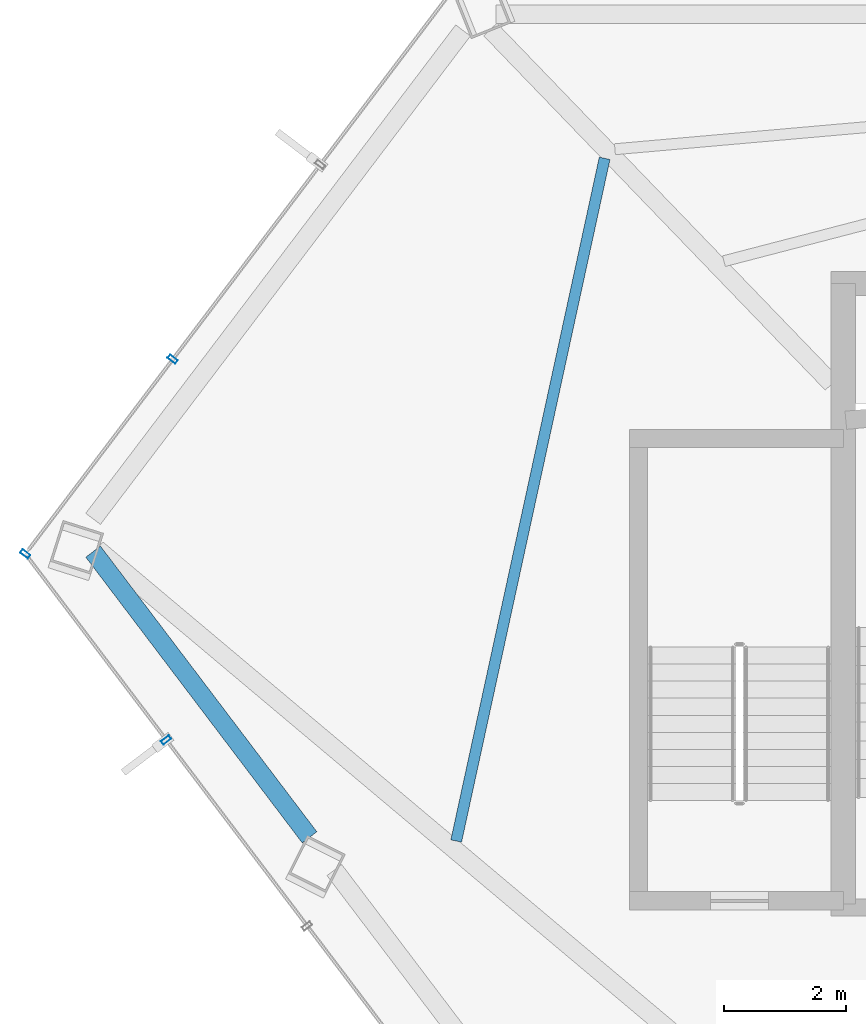
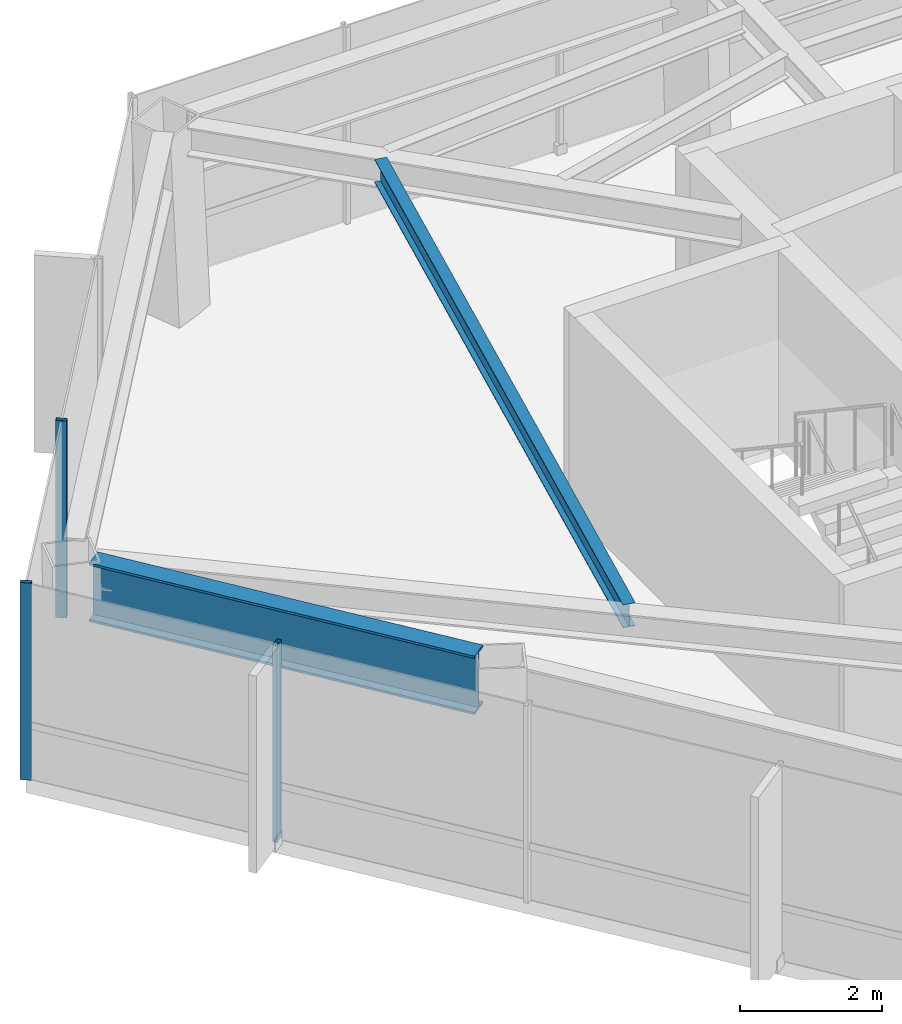
# One storey, part 9 of 28: 3 members, 2 beams, 2 elements without a shape of their own.
"""IFC4 building model written with IfcOpenShell, lengths in metres."""

from ifc_helpers import new_model, si_unit, direction, frame, origin, origin_2d, place, context, subcontext, project, spatial, hollow_rectangle, i_section, extrude, material, layer, layer_set, material_profile, profile_set, type_object, element, aggregate, save


model = new_model("IFC4")

# Units and contexts
model_context = context("Model", 3, precision=1e-05, world=origin(), true_north=direction((0.0, 1.0)))
body_context = subcontext(model_context, "Body", "Model", "MODEL_VIEW")
ifc_project = project(units=[si_unit("LENGTHUNIT", "METRE"), si_unit("AREAUNIT", "SQUARE_METRE"), si_unit("VOLUMEUNIT", "CUBIC_METRE"), si_unit("PLANEANGLEUNIT", "RADIAN"), si_unit("MASSUNIT", "GRAM", prefix="KILO")], contexts=[model_context])

# Site, building, storey
site_placement = place(None, origin())
site = spatial("IfcSite", under=ifc_project, at=site_placement, CompositionType="ELEMENT")
building_placement = place(site_placement, origin())
building = spatial("IfcBuilding", under=site, at=building_placement, Name="Zarrinselat Tower", CompositionType="ELEMENT")
storey_placement = place(building_placement, frame((0.0, 0.0, 190.739990234375)))
storey = spatial("IfcBuildingStorey", under=building, at=storey_placement, Name="L47", CompositionType="ELEMENT", Elevation=190.739990234375)

# Beams
ifc_material_1 = material(Name="Steel S460M", Category="steel")
ifc_material_profile_1 = material_profile(ifc_material_1, i_section(OverallWidth=0.302001953125, OverallDepth=1.008056640625, WebThickness=0.02099609375, FlangeThickness=0.0400390625, at=origin_2d()), Name="HEM 1000")
ifc_profile_set_1 = profile_set([ifc_material_profile_1], Name="Steel S460M")
beam_type_1 = type_object("IfcBeamType", Name="BM-HEM1000", PredefinedType="BEAM", material=ifc_profile_set_1)
beam_1_placement = place(storey_placement, frame((16.263916015625, 39.040771484375, 2.885986328125), z_axis=(0.603864069052, -0.79708731398, 0.0), x_axis=(0.79708731398, 0.603864069052, 0.0)))
element("IfcBeam", 1, at=beam_1_placement, inside=storey, type_object=beam_type_1, Name="L47 Perimeter Spandrel Girder SP06", PredefinedType="BEAM", context=body_context, shape_type="SweptSolid", body=[
    extrude(i_section(OverallWidth=0.302001953125, OverallDepth=1.008056640625, WebThickness=0.02099609375, FlangeThickness=0.0400390625, at=origin_2d()), origin(), (0.0, 0.0, 1.0), 5.89306640625),
])
ifc_material_2 = material(Name="Steel S355J2", Category="steel")
ifc_material_profile_2 = material_profile(ifc_material_2, i_section(OverallWidth=0.179931640625, OverallDepth=0.39990234375, WebThickness=0.008544921875, FlangeThickness=0.013427734375, at=origin_2d()), Name="IPE 400")
ifc_profile_set_2 = profile_set([ifc_material_profile_2], Name="Steel S355J2")
beam_type_2 = type_object("IfcBeamType", Name="BM-IPE400", PredefinedType="JOIST", material=ifc_profile_set_2)
beam_2_placement = place(storey_placement, frame((22.23388671875, 34.28271484375, 3.18994140625), z_axis=(0.212454351005, 0.97717099258, 0.0), x_axis=(-0.97717099258, 0.212454351005, 0.0)))
element("IfcBeam", 2, at=beam_2_placement, inside=storey, type_object=beam_type_2, Name="L47 Composite Floor Joist 10-1", PredefinedType="JOIST", context=body_context, shape_type="SweptSolid", body=[
    extrude(i_section(OverallWidth=0.179931640625, OverallDepth=0.39990234375, WebThickness=0.008544921875, FlangeThickness=0.013427734375, at=origin_2d()), origin(), (0.0, 0.0, 1.0), 11.48681640625),
])

# Curtain wall, members
ifc_material_3 = material(Name="Extruded Aluminium Alloy EN AW-6063 T6", Category="aluminium")
ifc_layer = layer(ifc_material_3, 0.175048828125)
ifc_layer_set = layer_set([ifc_layer], Name="Extruded Aluminium Alloy EN AW-6063 T6")
curtain_wall_type = type_object("IfcCurtainWallType", Name="CWS-HTL", PredefinedType="NOTDEFINED", material=ifc_layer_set)
curtain_wall_1_placement = place(storey_placement, origin())
curtain_wall_1 = element("IfcCurtainWall", 3, at=curtain_wall_1_placement, inside=storey, type_object=curtain_wall_type, Name="L47 Unitised Curtain Wall CW-L47-E02", PredefinedType="NOTDEFINED")
ifc_material_4 = material(Name="Extruded Aluminium Alloy EN AW-6063 T6", Category="aluminium")
ifc_material_profile_3 = material_profile(ifc_material_4, hollow_rectangle(XDim=0.070068359375, YDim=0.159912109375, WallThickness=0.00390625, at=origin_2d()), Name="RHS 160x70x4")
ifc_profile_set_3 = profile_set([ifc_material_profile_3], Name="Extruded Aluminium Alloy EN AW-6063 T6")
member_type = type_object("IfcMemberType", Name="MEM-CW-MUL2", PredefinedType="MULLION", material=ifc_profile_set_3)
member_1_placement = place(storey_placement, frame((17.572021484375, 42.203857421875, 0.0), z_axis=(0.0, 0.0, 1.0), x_axis=(-0.603853852413, -0.797095053884, 0.0)))
member_1 = element("IfcMember", 4, at=member_1_placement, type_object=member_type, Name="CW-L47-E02 Mullion 2", PredefinedType="MULLION", context=body_context, shape_type="SweptSolid", body=[
    extrude(hollow_rectangle(XDim=0.070068359375, YDim=0.159912109375, WallThickness=0.00390625, at=origin_2d()), origin(), (0.0, 0.0, 1.0), 3.389892578125),
])
member_2_placement = place(storey_placement, frame((15.14697265625, 39.0029296875, 0.0), z_axis=(0.0, 0.0, 1.0), x_axis=(-0.603853852413, -0.797095053884, 0.0)))
member_2 = element("IfcMember", 5, at=member_2_placement, type_object=member_type, Name="CW-L47-E02 Mullion 3", PredefinedType="MULLION", context=body_context, shape_type="SweptSolid", body=[
    extrude(hollow_rectangle(XDim=0.070068359375, YDim=0.159912109375, WallThickness=0.00390625, at=origin_2d()), origin(), (0.0, 0.0, 1.0), 3.389892578125),
])
aggregate(curtain_wall_1, [member_1, member_2])

# Curtain wall, member
curtain_wall_2_placement = place(storey_placement, origin())
curtain_wall_2 = element("IfcCurtainWall", 6, at=curtain_wall_2_placement, inside=storey, type_object=curtain_wall_type, Name="L47 Unitised Curtain Wall CW-L47-E03", PredefinedType="NOTDEFINED")
member_3_placement = place(storey_placement, frame((17.464599609375, 35.94384765625, 0.0), z_axis=(0.0, 0.0, 1.0), x_axis=(0.603857114659, -0.7970925825, 0.0)))
member_3 = element("IfcMember", 7, at=member_3_placement, type_object=member_type, Name="CW-L47-E03 Mullion 1", PredefinedType="MULLION", context=body_context, shape_type="SweptSolid", body=[
    extrude(hollow_rectangle(XDim=0.070068359375, YDim=0.159912109375, WallThickness=0.00390625, at=origin_2d()), origin(), (0.0, 0.0, 1.0), 3.389892578125),
])
aggregate(curtain_wall_2, [member_3])

save(model, "model.ifc")
